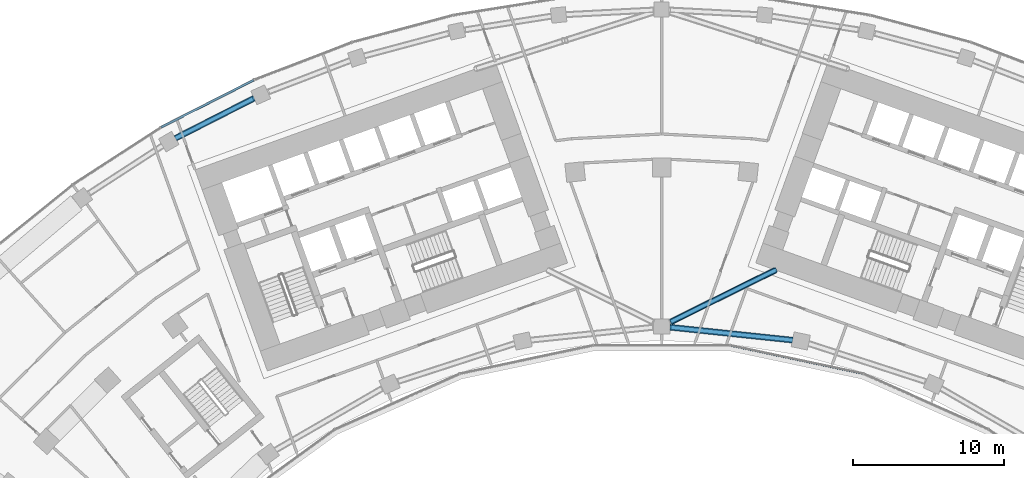
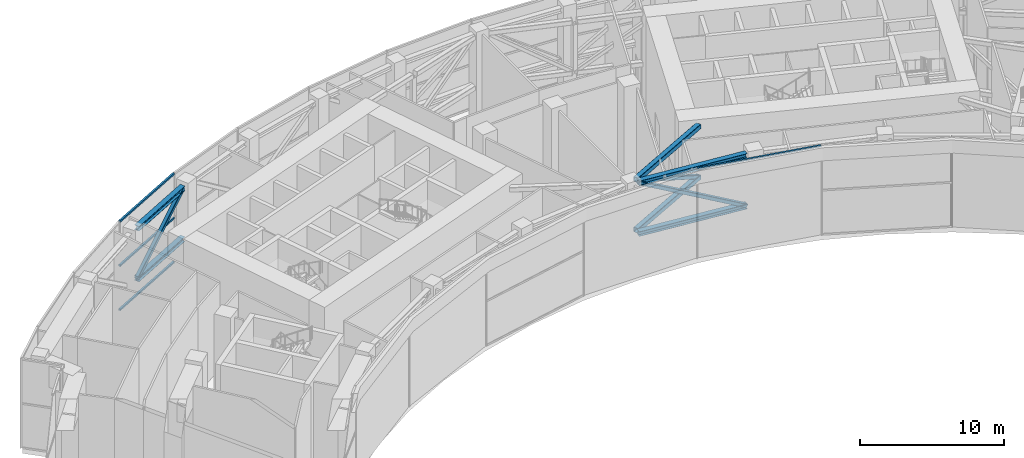
# One storey, part 6 of 32: 13 members, 2 elements without a shape of their own.
"""IFC4 building model written with IfcOpenShell, lengths in metres."""

from ifc_helpers import new_model, si_unit, direction, frame, origin, origin_2d, place, context, subcontext, project, spatial, rectangle, hollow_rectangle, i_section, extrude, material, layer, layer_set, material_profile, profile_set, type_object, element, aggregate, save


model = new_model("IFC4")

# Units and contexts
model_context = context("Model", 3, precision=1e-05, world=origin(), true_north=direction((0.0, 1.0)))
body_context = subcontext(model_context, "Body", "Model", "MODEL_VIEW")
ifc_project = project(units=[si_unit("LENGTHUNIT", "METRE"), si_unit("AREAUNIT", "SQUARE_METRE"), si_unit("VOLUMEUNIT", "CUBIC_METRE"), si_unit("PLANEANGLEUNIT", "RADIAN"), si_unit("MASSUNIT", "GRAM", prefix="KILO")], contexts=[model_context])

# Site, building, storey
site_placement = place(None, origin())
site = spatial("IfcSite", under=ifc_project, at=site_placement, CompositionType="ELEMENT")
building_placement = place(site_placement, origin())
building = spatial("IfcBuilding", under=site, at=building_placement, Name="Stone Belt Terrace Tower", CompositionType="ELEMENT")
storey_placement = place(building_placement, frame((0.0, 0.0, 193.39990234375)))
storey = spatial("IfcBuildingStorey", under=building, at=storey_placement, Name="L47", CompositionType="ELEMENT", Elevation=193.39990234375)

# Members
ifc_material_1 = material(Name="Structural steel C345", Category="steel")
ifc_material_profile_1 = material_profile(ifc_material_1, i_section(OverallWidth=0.39794921875, OverallDepth=0.39404296875, WebThickness=0.010986328125, FlangeThickness=0.01806640625, at=origin_2d()), Name="I 40K1")
ifc_profile_set_1 = profile_set([ifc_material_profile_1], Name="Structural steel C345")
member_type_1 = type_object("IfcMemberType", Name="Belt chord I 40K1", PredefinedType="CHORD", material=ifc_profile_set_1)
for number, where, z_axis, x_axis, name in (
    (1, (0.550048828125, 44.38720703125, 7.0830078125), (0.99452064148, -0.104540392526, 0.0), (0.104540392526, 0.99452064148, 0.0), "Belt truss T3 ring P top chord 5"),
    (2, (0.550048828125, 44.38720703125, 2.797119140625), (0.99452064148, -0.104540392526, 0.0), (0.104540392526, 0.99452064148, 0.0), "Belt truss T3 ring P bot chord 5"),
):
    element("IfcMember", number, at=place(storey_placement, frame(where, z_axis=z_axis, x_axis=x_axis)), inside=storey, type_object=member_type_1, Name=name, PredefinedType="CHORD", context=body_context, shape_type="SweptSolid", body=[
        extrude(i_section(OverallWidth=0.39794921875, OverallDepth=0.39404296875, WebThickness=0.010986328125, FlangeThickness=0.01806640625, at=origin_2d()), origin(), (0.0, 0.0, 1.0), 8.185546875),
    ])
for number, where, z_axis, x_axis, name in (
    (3, (-32.29833984375, 56.9423828125, 7.0830078125), (0.891023263135, 0.453957646209, 0.0), (-0.453957646209, 0.891023263135, 0.0), "Belt truss T3 ring R top chord 4"),
    (4, (-32.29833984375, 56.9423828125, 2.797119140625), (0.891023263135, 0.453957646209, 0.0), (-0.453957646209, 0.891023263135, 0.0), "Belt truss T3 ring R bot chord 4"),
):
    element("IfcMember", number, at=place(storey_placement, frame(where, z_axis=z_axis, x_axis=x_axis)), inside=storey, type_object=member_type_1, Name=name, PredefinedType="CHORD", context=body_context, shape_type="SweptSolid", body=[
        extrude(i_section(OverallWidth=0.39794921875, OverallDepth=0.39404296875, WebThickness=0.010986328125, FlangeThickness=0.01806640625, at=origin_2d()), origin(), (0.0, 0.0, 1.0), 5.853515625),
    ])
ifc_material_profile_2 = material_profile(ifc_material_1, hollow_rectangle(XDim=0.300048828125, YDim=0.300048828125, WallThickness=0.011962890625, InnerFilletRadius=0.02392578125, OuterFilletRadius=0.035888671875, at=origin_2d()), Name="SHS 300x300x12")
ifc_profile_set_2 = profile_set([ifc_material_profile_2], Name="Structural steel C345")
member_type_2 = type_object("IfcMemberType", Name="Belt diagonal SHS 300x300x12", PredefinedType="BRACE", material=ifc_profile_set_2)
member_1_placement = place(storey_placement, frame((0.550048828125, 44.38720703125, 7.0830078125), z_axis=(0.881054790561, -0.092613274979, -0.463859070546), x_axis=(0.104540392526, 0.99452064148, 0.0)))
element("IfcMember", 5, at=member_1_placement, inside=storey, type_object=member_type_2, Name="Belt truss T3 ring P diagonal 5", PredefinedType="BRACE", context=body_context, shape_type="SweptSolid", body=[
    extrude(hollow_rectangle(XDim=0.300048828125, YDim=0.300048828125, WallThickness=0.011962890625, InnerFilletRadius=0.02392578125, OuterFilletRadius=0.035888671875, at=origin_2d()), origin(), (0.0, 0.0, 1.0), 9.23974609375),
])
member_2_placement = place(storey_placement, frame((-32.29833984375, 56.9423828125, 2.797119140625), z_axis=(0.718915167956, 0.366272184994, 0.590767016499), x_axis=(-0.453957646209, 0.891023263135, 0.0)))
element("IfcMember", 6, at=member_2_placement, inside=storey, type_object=member_type_2, Name="Belt truss T3 ring R diagonal 4", PredefinedType="BRACE", context=body_context, shape_type="SweptSolid", body=[
    extrude(hollow_rectangle(XDim=0.300048828125, YDim=0.300048828125, WallThickness=0.011962890625, InnerFilletRadius=0.02392578125, OuterFilletRadius=0.035888671875, at=origin_2d()), origin(), (0.0, 0.0, 1.0), 7.2548828125),
])

# Curtain wall, members
ifc_material_2 = material(Name="Aluminium 6063-T6 anodised frame", Category="aluminium")
ifc_layer_1 = layer(ifc_material_2, 0.14990234375)
ifc_layer_set_1 = layer_set([ifc_layer_1], Name="CW-A unitised convex-face curtain wall")
curtain_wall_type_1 = type_object("IfcCurtainWallType", Name="CW-A unitised convex-face curtain wall", PredefinedType="NOTDEFINED", material=ifc_layer_set_1)
curtain_wall_1_placement = place(storey_placement, origin())
curtain_wall_1 = element("IfcCurtainWall", 7, at=curtain_wall_1_placement, inside=storey, type_object=curtain_wall_type_1, Name="CW-A convex face L47", PredefinedType="NOTDEFINED")
ifc_material_profile_3 = material_profile(ifc_material_2, rectangle(XDim=0.14990234375, YDim=0.139892578125, at=origin_2d()), Name="Aluminium 6063-T6 150x140")
ifc_profile_set_3 = profile_set([ifc_material_profile_3], Name="Aluminium 6063-T6 anodised frame")
member_type_3 = type_object("IfcMemberType", Name="CW-A transom 140 x 150", PredefinedType="USERDEFINED", material=ifc_profile_set_3)
member_3_placement = place(storey_placement, frame((-27.108642578125, 60.803955078125, 0.070068359375), z_axis=(-0.891012226264, -0.453979308613, 0.0), x_axis=(0.453979308613, -0.891012226264, 0.0)))
member_3 = element("IfcMember", 8, at=member_3_placement, type_object=member_type_3, Name="CW-A transom 13.1", ObjectType="TRANSOM", PredefinedType="USERDEFINED", context=body_context, shape_type="SweptSolid", body=[
    extrude(rectangle(XDim=0.14990234375, YDim=0.139892578125, at=origin_2d()), origin(), (0.0, 0.0, 1.0), 6.90087890625),
])
member_4_placement = place(storey_placement, frame((-27.108642578125, 60.803955078125, 3.800048828125), z_axis=(-0.891012226264, -0.453979308613, 0.0), x_axis=(0.453979308613, -0.891012226264, 0.0)))
member_4 = element("IfcMember", 9, at=member_4_placement, type_object=member_type_3, Name="CW-A transom 13.2", ObjectType="TRANSOM", PredefinedType="USERDEFINED", context=body_context, shape_type="SweptSolid", body=[
    extrude(rectangle(XDim=0.14990234375, YDim=0.139892578125, at=origin_2d()), origin(), (0.0, 0.0, 1.0), 6.90087890625),
])
member_5_placement = place(storey_placement, frame((-27.108642578125, 60.803955078125, 7.530029296875), z_axis=(-0.891012226264, -0.453979308613, 0.0), x_axis=(0.453979308613, -0.891012226264, 0.0)))
member_5 = element("IfcMember", 10, at=member_5_placement, type_object=member_type_3, Name="CW-A transom 13.3", ObjectType="TRANSOM", PredefinedType="USERDEFINED", context=body_context, shape_type="SweptSolid", body=[
    extrude(rectangle(XDim=0.14990234375, YDim=0.139892578125, at=origin_2d()), origin(), (0.0, 0.0, 1.0), 6.90087890625),
])
aggregate(curtain_wall_1, [member_3, member_4, member_5])

# Curtain wall, member
ifc_layer_2 = layer(ifc_material_2, 0.14990234375)
ifc_layer_set_2 = layer_set([ifc_layer_2], Name="CW-B unitised concave-face curtain wall")
curtain_wall_type_2 = type_object("IfcCurtainWallType", Name="CW-B unitised concave-face curtain wall", PredefinedType="NOTDEFINED", material=ifc_layer_set_2)
curtain_wall_2_placement = place(storey_placement, origin())
curtain_wall_2 = element("IfcCurtainWall", 11, at=curtain_wall_2_placement, inside=storey, type_object=curtain_wall_type_2, Name="CW-B concave face L47", PredefinedType="NOTDEFINED")
ifc_material_profile_4 = material_profile(ifc_material_2, rectangle(XDim=0.14990234375, YDim=0.1201171875, at=origin_2d()), Name="Aluminium 6063-T6 150x120")
ifc_profile_set_4 = profile_set([ifc_material_profile_4], Name="Aluminium 6063-T6 anodised frame")
member_type_4 = type_object("IfcMemberType", Name="CW-B transom 120 x 150", PredefinedType="USERDEFINED", material=ifc_profile_set_4)
member_6_placement = place(storey_placement, frame((4.571044921875, 43.179931640625, 7.5400390625), z_axis=(0.9781499003, -0.207900871914, 0.0), x_axis=(0.207900871914, 0.9781499003, 0.0)))
member_6 = element("IfcMember", 12, at=member_6_placement, type_object=member_type_4, Name="CW-B transom 6.1", ObjectType="TRANSOM", PredefinedType="USERDEFINED", context=body_context, shape_type="SweptSolid", body=[
    extrude(rectangle(XDim=0.14990234375, YDim=0.1201171875, at=origin_2d()), origin(), (0.0, 0.0, 1.0), 9.012939453125),
])
aggregate(curtain_wall_2, [member_6])

# Members
ifc_material_profile_5 = material_profile(ifc_material_1, hollow_rectangle(XDim=0.39990234375, YDim=0.39990234375, WallThickness=0.01611328125, InnerFilletRadius=0.031982421875, OuterFilletRadius=0.048095703125, at=origin_2d()), Name="SHS 400x400x16")
ifc_profile_set_5 = profile_set([ifc_material_profile_5], Name="Structural steel C345")
member_type_5 = type_object("IfcMemberType", Name="Outrigger chord SHS 400x400x16", PredefinedType="CHORD", material=ifc_profile_set_5)
member_7_placement = place(storey_placement, frame((0.550048828125, 44.717041015625, 7.080078125), z_axis=(0.896378106265, 0.443290300603, 0.0), x_axis=(-0.443290300603, 0.896378106265, 0.0)))
element("IfcMember", 13, at=member_7_placement, inside=storey, type_object=member_type_5, Name="Outrigger T3 coreB-mid-P top chord 1", PredefinedType="CHORD", context=body_context, shape_type="SweptSolid", body=[
    extrude(hollow_rectangle(XDim=0.39990234375, YDim=0.39990234375, WallThickness=0.01611328125, InnerFilletRadius=0.031982421875, OuterFilletRadius=0.048095703125, at=origin_2d()), origin(), (0.0, 0.0, 1.0), 7.824462890625),
])
member_8_placement = place(storey_placement, frame((0.56787109375, 44.725830078125, 2.800048828125), z_axis=(0.896376850199, 0.443292840487, 0.0), x_axis=(-0.443292840487, 0.896376850199, 0.0)))
element("IfcMember", 14, at=member_8_placement, inside=storey, type_object=member_type_5, Name="Outrigger T3 coreB-mid-P bot chord 1", PredefinedType="CHORD", context=body_context, shape_type="SweptSolid", body=[
    extrude(hollow_rectangle(XDim=0.39990234375, YDim=0.39990234375, WallThickness=0.01611328125, InnerFilletRadius=0.031982421875, OuterFilletRadius=0.048095703125, at=origin_2d()), origin(), (0.0, 0.0, 1.0), 7.8046875),
])
ifc_material_profile_6 = material_profile(ifc_material_1, hollow_rectangle(XDim=0.300048828125, YDim=0.300048828125, WallThickness=0.01611328125, InnerFilletRadius=0.031982421875, OuterFilletRadius=0.048095703125, at=origin_2d()), Name="SHS 300x300x16")
ifc_profile_set_6 = profile_set([ifc_material_profile_6], Name="Structural steel C345")
member_type_6 = type_object("IfcMemberType", Name="Outrigger diagonal SHS 300x300x16", PredefinedType="BRACE", material=ifc_profile_set_6)
member_9_placement = place(storey_placement, frame((0.550048828125, 44.717041015625, 7.080078125), z_axis=(0.786412720976, 0.388908574454, -0.479901190874), x_axis=(-0.443290300603, 0.896378106265, 0.0)))
element("IfcMember", 15, at=member_9_placement, inside=storey, type_object=member_type_6, Name="Outrigger T3 coreB-mid-P diagonal 1", PredefinedType="BRACE", context=body_context, shape_type="SweptSolid", body=[
    extrude(hollow_rectangle(XDim=0.300048828125, YDim=0.300048828125, WallThickness=0.01611328125, InnerFilletRadius=0.031982421875, OuterFilletRadius=0.048095703125, at=origin_2d()), origin(), (0.0, 0.0, 1.0), 8.91845703125),
])

save(model, "model.ifc")
